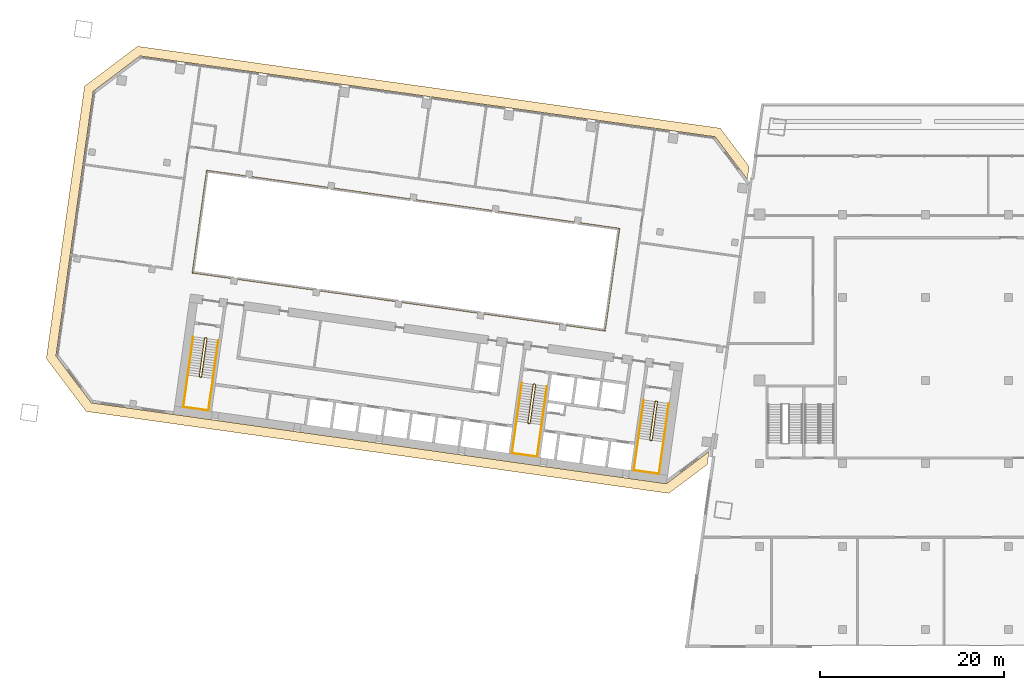
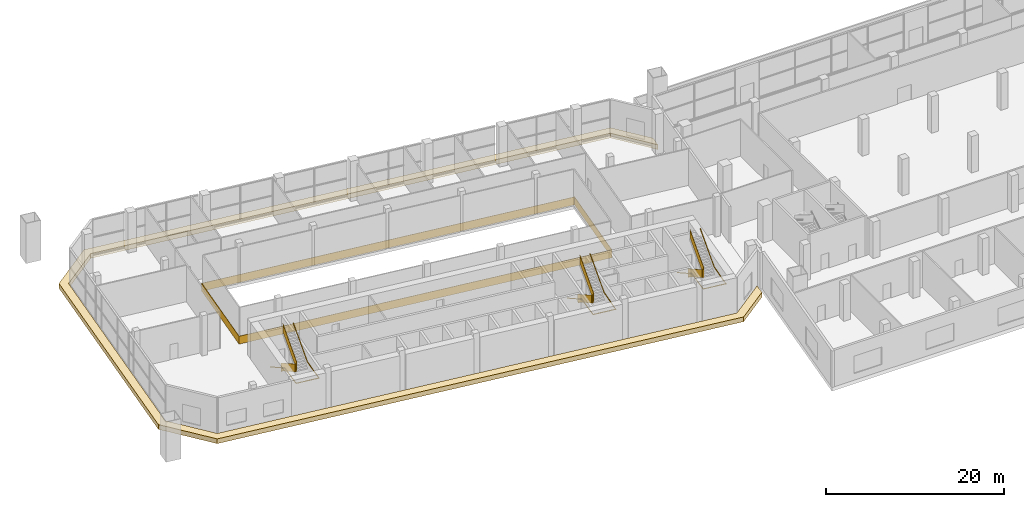
# One storey, part 20 of 23: 7 railings, 1 covering.
"""IFC4 building model written with IfcOpenShell, lengths in metres."""

import ifcopenshell
import ifcopenshell.guid

model = None  # the IFC model being written
_history = None  # IfcOwnerHistory: only IFC2X3 demands one
_inside = {}  # id of a spatial element -> (the spatial element, [elements in it])
_under = {}  # id of a project, library or spatial element -> (it, [spatial elements below it])
_declared = {}  # id of a project -> (the project, [libraries it declares])
_typed = {}  # id of a type object -> (the type object, [elements of that type])
_made_of = {}  # id of a material, layer set ... -> (it, [elements and type objects made of it])


def new_model(schema):
    """Start an empty IFC model of exactly this schema.

    Asked for "IFC4X3", IfcOpenShell would pick the latest addendum, in which some entities
    have other attributes; the version numbers below select the first issue.
    IFC2X3 requires an IfcOwnerHistory on every rooted entity: one is made here for all.
    """
    global model, _history
    if schema == "IFC4X3":
        model = ifcopenshell.file(schema_version=(4, 3, 0, 0))
    else:
        model = ifcopenshell.file(schema=schema)
    _inside.clear()
    _under.clear()
    _declared.clear()
    _typed.clear()
    _made_of.clear()
    _history = None
    if model.schema == "IFC2X3":
        org = make("IfcOrganization", Name="unknown")
        user = make(
            "IfcPersonAndOrganization",
            ThePerson=make("IfcPerson", FamilyName="unknown"),
            TheOrganization=org,
        )
        app = make(
            "IfcApplication",
            ApplicationDeveloper=org,
            Version="unknown",
            ApplicationFullName="unknown",
            ApplicationIdentifier="unknown",
        )
        _history = make(
            "IfcOwnerHistory",
            OwningUser=user,
            OwningApplication=app,
            ChangeAction="ADDED",
            CreationDate=0,
        )
    return model


def make(cls, **values):
    """One entity of the class cls with the attributes given. An attribute that is None is left unset."""
    return model.create_entity(
        cls, **{name: value for name, value in values.items() if value is not None}
    )


def rooted(cls, **values):
    """An entity with a GlobalId (a new one), such as an element, a storey or a relation."""
    return make(cls, GlobalId=ifcopenshell.guid.new(), OwnerHistory=_history, **values)


def si_unit(unit_type, name, prefix=None):
    """IfcSIUnit, for example si_unit("LENGTHUNIT", "METRE", prefix="MILLI")."""
    return make("IfcSIUnit", UnitType=unit_type, Prefix=prefix, Name=name)


def assignment(units):
    """IfcUnitAssignment: the units of a project."""
    return None if units is None else make("IfcUnitAssignment", Units=units)


def point(xyz):
    """IfcCartesianPoint."""
    return None if xyz is None else make("IfcCartesianPoint", Coordinates=xyz)


def direction(xyz):
    """IfcDirection."""
    return None if xyz is None else make("IfcDirection", DirectionRatios=xyz)


def frame(location, z_axis=None, x_axis=None):
    """IfcAxis2Placement3D, a coordinate frame: its origin and axes. An axis left out is left unset."""
    return make(
        "IfcAxis2Placement3D",
        Location=point(location),
        Axis=direction(z_axis),
        RefDirection=direction(x_axis),
    )


def frame_2d(location, x_axis=None):
    """IfcAxis2Placement2D, a coordinate frame in the plane: its origin and x axis."""
    return make(
        "IfcAxis2Placement2D", Location=point(location), RefDirection=direction(x_axis)
    )


def origin():
    """The frame at (0, 0, 0) with its axes left unset."""
    return frame((0.0, 0.0, 0.0))


def origin_2d():
    """The frame at (0, 0) in the plane with its x axis left unset."""
    return frame_2d((0.0, 0.0))


def place(relative_to, where):
    """IfcLocalPlacement: puts the frame where relative to a parent placement (None: the world)."""
    return make(
        "IfcLocalPlacement", PlacementRelTo=relative_to, RelativePlacement=where
    )


def context(
    kind, dimensions, precision=None, world=None, true_north=None, identifier=None
):
    """IfcGeometricRepresentationContext, for example the 3D "Model" context."""
    return make(
        "IfcGeometricRepresentationContext",
        ContextIdentifier=identifier,
        ContextType=kind,
        CoordinateSpaceDimension=dimensions,
        Precision=precision,
        WorldCoordinateSystem=world,
        TrueNorth=true_north,
    )


def subcontext(parent, identifier, kind, view, scale=None):
    """IfcGeometricRepresentationSubContext, for example "Body" below "Model"."""
    return make(
        "IfcGeometricRepresentationSubContext",
        ContextIdentifier=identifier,
        ContextType=kind,
        ParentContext=parent,
        TargetScale=scale,
        TargetView=view,
    )


def project(units=None, contexts=None):
    """IfcProject with its units and contexts."""
    return rooted(
        "IfcProject",
        Name="project",
        RepresentationContexts=contexts,
        UnitsInContext=assignment(units),
    )


def spatial(cls, under=None, at=None, **own):
    """A site, building, storey or space (cls), placed at a placement, below another one or the project."""
    s = rooted(cls, ObjectPlacement=at, **own)
    if under is not None:
        _under.setdefault(under.id(), (under, []))[1].append(s)
    return s


def polyline(points):
    """IfcPolyline through the points."""
    return make("IfcPolyline", Points=[point(p) for p in points])


def profile(cls, at=None, kind="AREA", **sizes):
    """A parametric profile (cls). Its sizes go by their IFC names, for example OverallWidth=200.0."""
    return make(cls, ProfileType=kind, Position=at, **sizes)


def rectangle(**sizes):
    """IfcRectangleProfileDef."""
    return profile("IfcRectangleProfileDef", **sizes)


def outline(outer, holes=None, kind="AREA"):
    """IfcArbitraryClosedProfileDef: a profile drawn as a closed curve; with holes, ...WithVoids."""
    if holes is None:
        return make("IfcArbitraryClosedProfileDef", ProfileType=kind, OuterCurve=outer)
    return make(
        "IfcArbitraryProfileDefWithVoids",
        ProfileType=kind,
        OuterCurve=outer,
        InnerCurves=holes,
    )


def extrude(swept, where, along, depth):
    """IfcExtrudedAreaSolid: the profile swept, set in the frame where, extruded along a direction by depth."""
    return make(
        "IfcExtrudedAreaSolid",
        SweptArea=swept,
        Position=where,
        ExtrudedDirection=direction(along),
        Depth=depth,
    )


def shape(context_of_items, identifier, shape_type, items):
    """IfcShapeRepresentation: the items that make up one representation, for example the "Body"."""
    return make(
        "IfcShapeRepresentation",
        ContextOfItems=context_of_items,
        RepresentationIdentifier=identifier,
        RepresentationType=shape_type,
        Items=items,
    )


def material(Name=None, Category=None):
    """IfcMaterial."""
    return make("IfcMaterial", Name=Name, Category=Category)


def layer(
    of_material, thickness, ventilated=None, Name=None, Category=None, Priority=None
):
    """IfcMaterialLayer: one layer of a wall or slab, of a material (None: an air gap)."""
    return make(
        "IfcMaterialLayer",
        Material=of_material,
        LayerThickness=thickness,
        IsVentilated=ventilated,
        Name=Name,
        Category=Category,
        Priority=Priority,
    )


def layer_set(layers, Name=None):
    """IfcMaterialLayerSet."""
    return make("IfcMaterialLayerSet", MaterialLayers=layers, LayerSetName=Name)


def made_of(thing, what):
    """Note that an element or type object is made of a material, layer set ...; save() writes the relation."""
    if what is not None:
        _made_of.setdefault(what.id(), (what, []))[1].append(thing)
    return thing


def type_object(cls, material=None, **own):
    """A type object (cls), such as IfcWallType, which elements share."""
    return made_of(rooted(cls, **own), material)


def element(
    cls,
    number,
    at=None,
    inside=None,
    cuts=None,
    type_object=None,
    material=None,
    context=None,
    identifier="Body",
    shape_type=None,
    held_by="IfcProductDefinitionShape",
    body=None,
    shapes=None,
    **own,
):
    """One element of the class cls, such as IfcWall. Its Tag is "e" and its number.

    at: its placement. inside: the storey or other place that contains it. cuts: it is an
    opening in that element (IfcRelVoidsElement). A single representation is given by context,
    identifier, shape_type and body (its items); several are given by shapes. held_by: the class
    of the entity that holds the representations. save() writes the other relations.
    """
    e = rooted(cls, Tag="e%d" % number, ObjectPlacement=at, **own)
    if body is not None:
        shapes = [shape(context, identifier, shape_type, body)]
    if shapes is not None:
        e.Representation = make(held_by, Representations=shapes)
    if inside is not None:
        _inside.setdefault(inside.id(), (inside, []))[1].append(e)
    if cuts is not None:
        rooted(
            "IfcRelVoidsElement", RelatingBuildingElement=cuts, RelatedOpeningElement=e
        )
    if type_object is not None:
        _typed.setdefault(type_object.id(), (type_object, []))[1].append(e)
    return made_of(e, material)


def aggregate(whole, parts):
    """IfcRelAggregates: a whole, such as a stair, and the parts it consists of."""
    return rooted("IfcRelAggregates", RelatingObject=whole, RelatedObjects=parts)


def save(model, path):
    """Write the relations noted so far, then the file.

    IfcRelAggregates (storeys below a building ...), IfcRelContainedInSpatialStructure (elements
    in a storey), IfcRelDefinesByType, IfcRelAssociatesMaterial and IfcRelDeclares: one each for
    every whole, place, type object, material and project.
    """
    for whole, parts in _under.values():
        aggregate(whole, parts)
    for where, things in _inside.values():
        rooted(
            "IfcRelContainedInSpatialStructure",
            RelatedElements=things,
            RelatingStructure=where,
        )
    for kind, things in _typed.values():
        rooted("IfcRelDefinesByType", RelatedObjects=things, RelatingType=kind)
    for what, things in _made_of.values():
        rooted("IfcRelAssociatesMaterial", RelatedObjects=things, RelatingMaterial=what)
    for by, libraries in _declared.values():
        rooted("IfcRelDeclares", RelatingContext=by, RelatedDefinitions=libraries)
    model.write(path)


model = new_model("IFC4")

# Units and contexts
model_context = context("Model", 3, precision=1e-05, world=origin(), true_north=direction((0.0, 1.0)))
body_context = subcontext(model_context, "Body", "Model", "MODEL_VIEW")
ifc_project = project(units=[si_unit("LENGTHUNIT", "METRE"), si_unit("AREAUNIT", "SQUARE_METRE"), si_unit("VOLUMEUNIT", "CUBIC_METRE"), si_unit("PLANEANGLEUNIT", "RADIAN"), si_unit("MASSUNIT", "GRAM", prefix="KILO")], contexts=[model_context])

# Site, building, storey
site_placement = place(None, origin())
site = spatial("IfcSite", under=ifc_project, at=site_placement, CompositionType="ELEMENT")
building_placement = place(site_placement, origin())
building = spatial("IfcBuilding", under=site, at=building_placement, Name="Mirante Cascada Hotel Towers", CompositionType="ELEMENT")
storey_placement = place(building_placement, frame((0.0, 0.0, 23.5)))
storey = spatial("IfcBuildingStorey", under=building, at=storey_placement, Name="L03", CompositionType="ELEMENT", Elevation=23.5)

# Railing
ifc_material_1 = material(Name="Painted steel", Category="steel")
railing_type_1 = type_object("IfcRailingType", Name="Atrium edge guard 1100 steel balustrade", PredefinedType="GUARDRAIL", material=ifc_material_1)
railing_1_placement = place(storey_placement, frame((-43.7567, -3.601, 0.0)))
element("IfcRailing", 1, at=railing_1_placement, inside=storey, type_object=railing_type_1, Name="Atrium guard T1 L03", PredefinedType="GUARDRAIL", context=body_context, shape_type="SweptSolid", body=[
    extrude(rectangle(XDim=0.048, YDim=0.048, at=origin_2d()), frame((0.0, 0.0, 1.076), z_axis=(-0.9902681, 0.1391726, 0.0), x_axis=(-0.1391726, -0.9902681, 0.0)), (0.0, 0.0, 1.0), 45.2),
    extrude(rectangle(XDim=0.02, YDim=1.052, at=origin_2d()), frame((0.0, 0.0, 0.526), z_axis=(-0.9902681, 0.1391726, 0.0), x_axis=(-0.1391726, -0.9902681, 0.0)), (0.0, 0.0, 1.0), 45.2),
    extrude(rectangle(XDim=0.048, YDim=0.048, at=origin_2d()), frame((-44.7601, 6.2906, 1.076), z_axis=(0.1391697, 0.9902685, 0.0), x_axis=(-0.9902685, 0.1391697, 0.0)), (0.0, 0.0, 1.0), 11.2),
    extrude(rectangle(XDim=0.02, YDim=1.052, at=origin_2d()), frame((-44.7601, 6.2906, 0.526), z_axis=(0.1391697, 0.9902685, 0.0), x_axis=(-0.9902685, 0.1391697, 0.0)), (0.0, 0.0, 1.0), 11.2),
    extrude(rectangle(XDim=0.048, YDim=0.048, at=origin_2d()), frame((-43.2014, 17.3816, 1.076), z_axis=(0.9902681, -0.1391726, 0.0), x_axis=(0.1391726, 0.9902681, 0.0)), (0.0, 0.0, 1.0), 45.2),
    extrude(rectangle(XDim=0.02, YDim=1.052, at=origin_2d()), frame((-43.2014, 17.3816, 0.526), z_axis=(0.9902681, -0.1391726, 0.0), x_axis=(0.1391726, 0.9902681, 0.0)), (0.0, 0.0, 1.0), 45.2),
    extrude(rectangle(XDim=0.048, YDim=0.048, at=origin_2d()), frame((1.5587, 11.091, 1.076), z_axis=(-0.1391697, -0.9902685, 0.0), x_axis=(0.9902685, -0.1391697, 0.0)), (0.0, 0.0, 1.0), 11.2),
    extrude(rectangle(XDim=0.02, YDim=1.052, at=origin_2d()), frame((1.5587, 11.091, 0.526), z_axis=(-0.1391697, -0.9902685, 0.0), x_axis=(0.9902685, -0.1391697, 0.0)), (0.0, 0.0, 1.0), 11.2),
])

# Covering
ifc_material_2 = material(Name="Precast concrete C40/50 white", Category="concrete")
ifc_layer = layer(ifc_material_2, 0.6)
ifc_layer_set = layer_set([ifc_layer], Name="Precast concrete SUNSHADE band 1000x600")
covering_type = type_object("IfcCoveringType", Name="Precast concrete SUNSHADE band 1000x600", PredefinedType="CLADDING", material=ifc_layer_set)
covering_placement = place(storey_placement, frame((0.0, 0.0, -0.5)))
element("IfcCovering", 2, at=covering_placement, inside=storey, type_object=covering_type, Name="Precast concrete SUNSHADE band T1 L03", PredefinedType="CLADDING", context=body_context, shape_type="SweptSolid", body=[
    extrude(outline(polyline([(-100.2139, 22.9287), (-94.4698, 27.2572), (-31.2626, 18.374), (-28.1256, 14.2111), (-28.3224, 12.8107), (-31.8119, 17.4414), (-94.1988, 26.2093), (-99.2813, 22.3794), (-103.3173, -6.3384), (-99.4874, -11.4209), (-37.1005, -20.1888), (-32.4698, -16.6993), (-32.6666, -18.0998), (-36.8295, -21.2367), (-100.0367, -12.3535), (-104.3652, -6.6094), (-100.2139, 22.9287)])), origin(), (0.0, 0.0, 1.0), 0.65),
])

# Railings
ifc_material_3 = material(Name="Painted steel", Category="steel")
railing_type_2 = type_object("IfcRailingType", Name="Stair guard 1100 steel balustrade", PredefinedType="GUARDRAIL", material=ifc_material_3)
railing_2_placement = place(storey_placement, frame((-38.1178, -11.2603, 0.0)))
element("IfcRailing", 3, at=railing_2_placement, inside=storey, type_object=railing_type_2, Name="L03 ST1-A stair guard 1", PredefinedType="GUARDRAIL", context=body_context, shape_type="SweptSolid", body=[
    extrude(rectangle(XDim=0.048, YDim=0.048, at=origin_2d()), frame((0.0, 0.0, 1.076), z_axis=(-0.9903326, 0.1387133, 0.0), x_axis=(-0.1387133, -0.9903326, 0.0)), (0.0, 0.0, 1.0), 0.1499),
    extrude(rectangle(XDim=0.02, YDim=1.052, at=origin_2d()), frame((0.0, 0.0, 0.526), z_axis=(-0.9903326, 0.1387133, 0.0), x_axis=(-0.1387133, -0.9903326, 0.0)), (0.0, 0.0, 1.0), 0.1499),
    extrude(rectangle(XDim=0.048, YDim=0.048, at=origin_2d()), frame((-0.1485, 0.0208, 1.076), z_axis=(-0.7991505, -0.6011309, 0.0), x_axis=(0.6011309, -0.7991505, 0.0)), (0.0, 0.9248339, 0.3803713), 0.1859),
    extrude(rectangle(XDim=0.02, YDim=1.052, at=origin_2d()), frame((-0.1485, 0.0208, 0.526), z_axis=(-0.7991505, -0.6011309, 0.0), x_axis=(0.6011309, -0.7991505, 0.0)), (0.0, 0.9248339, 0.3803713), 0.1859),
    extrude(rectangle(XDim=0.048, YDim=0.048, at=origin_2d()), frame((-0.205, -0.0217, 1.2479), z_axis=(-0.1391676, -0.9902688, 0.0), x_axis=(0.9902688, -0.1391676, 0.0)), (0.0, 0.5231408, 0.8522463), 4.9281),
    extrude(rectangle(XDim=0.02, YDim=1.052, at=origin_2d()), frame((-0.205, -0.0217, 0.6979), z_axis=(-0.1391676, -0.9902688, 0.0), x_axis=(0.9902688, -0.1391676, 0.0)), (0.0, 0.5231408, 0.8522463), 4.9281),
    extrude(rectangle(XDim=0.048, YDim=0.048, at=origin_2d()), frame((-0.7895, -4.1808, 3.826), z_axis=(0.9268624, -0.3754011, 0.0), x_axis=(0.3754011, 0.9268624, 0.0)), (0.0, 0.0, 1.0), 0.2062),
    extrude(rectangle(XDim=0.02, YDim=1.052, at=origin_2d()), frame((-0.7895, -4.1808, 3.276), z_axis=(0.9268624, -0.3754011, 0.0), x_axis=(0.3754011, 0.9268624, 0.0)), (0.0, 0.0, 1.0), 0.2062),
    extrude(rectangle(XDim=0.048, YDim=0.048, at=origin_2d()), frame((-0.5984, -4.2582, 3.826), z_axis=(-0.9902537, 0.1392753, 0.0), x_axis=(-0.1392753, -0.9902537, 0.0)), (0.0, 0.0, 1.0), 0.1501),
    extrude(rectangle(XDim=0.02, YDim=1.052, at=origin_2d()), frame((-0.5984, -4.2582, 3.276), z_axis=(-0.9902537, 0.1392753, 0.0), x_axis=(-0.1392753, -0.9902537, 0.0)), (0.0, 0.0, 1.0), 0.1501),
    extrude(rectangle(XDim=0.048, YDim=0.048, at=origin_2d()), frame((-0.747, -4.2373, 3.826), z_axis=(0.9944441, 0.1052656, 0.0), x_axis=(-0.1052656, 0.9944441, 0.0)), (0.0, 0.6404311, 0.7680156), 0.2684),
    extrude(rectangle(XDim=0.02, YDim=1.052, at=origin_2d()), frame((-0.747, -4.2373, 3.276), z_axis=(0.9944441, 0.1052656, 0.0), x_axis=(-0.1052656, 0.9944441, 0.0)), (0.0, 0.6404311, 0.7680156), 0.2684),
    extrude(rectangle(XDim=0.048, YDim=0.048, at=origin_2d()), frame((-0.542, -4.2156, 3.9979), z_axis=(0.139191, 0.9902656, 0.0), x_axis=(-0.9902656, 0.139191, 0.0)), (0.0, 0.5231396, 0.852247), 4.9281),
    extrude(rectangle(XDim=0.02, YDim=1.052, at=origin_2d()), frame((-0.542, -4.2156, 3.4479), z_axis=(0.139191, 0.9902656, 0.0), x_axis=(-0.9902656, 0.139191, 0.0)), (0.0, 0.5231396, 0.852247), 4.9281),
])
railing_3_placement = place(storey_placement, frame((-51.3379, -9.4024, 0.0)))
element("IfcRailing", 4, at=railing_3_placement, inside=storey, type_object=railing_type_2, Name="L03 ST1-B stair guard 1", PredefinedType="GUARDRAIL", context=body_context, shape_type="SweptSolid", body=[
    extrude(rectangle(XDim=0.048, YDim=0.048, at=origin_2d()), frame((0.0, 0.0, 1.076), z_axis=(-0.9902408, 0.1393672, 0.0), x_axis=(-0.1393672, -0.9902408, 0.0)), (0.0, 0.0, 1.0), 0.15),
    extrude(rectangle(XDim=0.02, YDim=1.052, at=origin_2d()), frame((0.0, 0.0, 0.526), z_axis=(-0.9902408, 0.1393672, 0.0), x_axis=(-0.1393672, -0.9902408, 0.0)), (0.0, 0.0, 1.0), 0.15),
    extrude(rectangle(XDim=0.048, YDim=0.048, at=origin_2d()), frame((-0.1485, 0.0209, 1.076), z_axis=(-0.7984711, -0.6020331, 0.0), x_axis=(0.6020331, -0.7984711, 0.0)), (0.0, 0.92472, 0.380648), 0.1859),
    extrude(rectangle(XDim=0.02, YDim=1.052, at=origin_2d()), frame((-0.1485, 0.0209, 0.526), z_axis=(-0.7984711, -0.6020331, 0.0), x_axis=(0.6020331, -0.7984711, 0.0)), (0.0, 0.92472, 0.380648), 0.1859),
    extrude(rectangle(XDim=0.048, YDim=0.048, at=origin_2d()), frame((-0.205, -0.0217, 1.2479), z_axis=(-0.1391676, -0.9902688, 0.0), x_axis=(0.9902688, -0.1391676, 0.0)), (0.0, 0.5231408, 0.8522463), 4.9281),
    extrude(rectangle(XDim=0.02, YDim=1.052, at=origin_2d()), frame((-0.205, -0.0217, 0.6979), z_axis=(-0.1391676, -0.9902688, 0.0), x_axis=(0.9902688, -0.1391676, 0.0)), (0.0, 0.5231408, 0.8522463), 4.9281),
    extrude(rectangle(XDim=0.048, YDim=0.048, at=origin_2d()), frame((-0.7895, -4.1808, 3.826), z_axis=(0.9270311, -0.3749843, 0.0), x_axis=(0.3749843, 0.9270311, 0.0)), (0.0, 0.0, 1.0), 0.2061),
    extrude(rectangle(XDim=0.02, YDim=1.052, at=origin_2d()), frame((-0.7895, -4.1808, 3.276), z_axis=(0.9270311, -0.3749843, 0.0), x_axis=(0.3749843, 0.9270311, 0.0)), (0.0, 0.0, 1.0), 0.2061),
    extrude(rectangle(XDim=0.048, YDim=0.048, at=origin_2d()), frame((-0.5984, -4.2581, 3.826), z_axis=(-0.9903454, 0.1386217, 0.0), x_axis=(-0.1386217, -0.9903454, 0.0)), (0.0, 0.0, 1.0), 0.15),
    extrude(rectangle(XDim=0.02, YDim=1.052, at=origin_2d()), frame((-0.5984, -4.2581, 3.276), z_axis=(-0.9903454, 0.1386217, 0.0), x_axis=(-0.1386217, -0.9903454, 0.0)), (0.0, 0.0, 1.0), 0.15),
    extrude(rectangle(XDim=0.048, YDim=0.048, at=origin_2d()), frame((-0.747, -4.2373, 3.826), z_axis=(0.9944495, 0.1052148, 0.0), x_axis=(-0.1052148, 0.9944495, 0.0)), (0.0, 0.640249, 0.7681675), 0.2685),
    extrude(rectangle(XDim=0.02, YDim=1.052, at=origin_2d()), frame((-0.747, -4.2373, 3.276), z_axis=(0.9944495, 0.1052148, 0.0), x_axis=(-0.1052148, 0.9944495, 0.0)), (0.0, 0.640249, 0.7681675), 0.2685),
    extrude(rectangle(XDim=0.048, YDim=0.048, at=origin_2d()), frame((-0.5419, -4.2156, 3.9979), z_axis=(0.1391676, 0.9902688, 0.0), x_axis=(-0.9902688, 0.1391676, 0.0)), (0.0, 0.5231408, 0.8522463), 4.9281),
    extrude(rectangle(XDim=0.02, YDim=1.052, at=origin_2d()), frame((-0.5419, -4.2156, 3.4479), z_axis=(0.1391676, 0.9902688, 0.0), x_axis=(-0.9902688, 0.1391676, 0.0)), (0.0, 0.5231408, 0.8522463), 4.9281),
])
railing_4_placement = place(storey_placement, frame((-86.9875, -4.3922, 0.0)))
element("IfcRailing", 5, at=railing_4_placement, inside=storey, type_object=railing_type_2, Name="L03 ST1-C stair guard 1", PredefinedType="GUARDRAIL", context=body_context, shape_type="SweptSolid", body=[
    extrude(rectangle(XDim=0.048, YDim=0.048, at=origin_2d()), frame((0.0, 0.0, 1.076), z_axis=(-0.9902537, 0.1392753, 0.0), x_axis=(-0.1392753, -0.9902537, 0.0)), (0.0, 0.0, 1.0), 0.1501),
    extrude(rectangle(XDim=0.02, YDim=1.052, at=origin_2d()), frame((0.0, 0.0, 0.526), z_axis=(-0.9902537, 0.1392753, 0.0), x_axis=(-0.1392753, -0.9902537, 0.0)), (0.0, 0.0, 1.0), 0.1501),
    extrude(rectangle(XDim=0.048, YDim=0.048, at=origin_2d()), frame((-0.1486, 0.0209, 1.076), z_axis=(-0.7986386, -0.601811, 0.0), x_axis=(0.601811, -0.7986386, 0.0)), (0.0, 0.924985, 0.3800036), 0.1858),
    extrude(rectangle(XDim=0.02, YDim=1.052, at=origin_2d()), frame((-0.1486, 0.0209, 0.526), z_axis=(-0.7986386, -0.601811, 0.0), x_axis=(0.601811, -0.7986386, 0.0)), (0.0, 0.924985, 0.3800036), 0.1858),
    extrude(rectangle(XDim=0.048, YDim=0.048, at=origin_2d()), frame((-0.205, -0.0216, 1.2479), z_axis=(-0.1391877, -0.990266, 0.0), x_axis=(0.990266, -0.1391877, 0.0)), (0.0, 0.5231306, 0.8522525), 4.9282),
    extrude(rectangle(XDim=0.02, YDim=1.052, at=origin_2d()), frame((-0.205, -0.0216, 0.6979), z_axis=(-0.1391877, -0.990266, 0.0), x_axis=(0.990266, -0.1391877, 0.0)), (0.0, 0.5231306, 0.8522525), 4.9282),
    extrude(rectangle(XDim=0.048, YDim=0.048, at=origin_2d()), frame((-0.7896, -4.1808, 3.826), z_axis=(0.9270311, -0.3749843, 0.0), x_axis=(0.3749843, 0.9270311, 0.0)), (0.0, 0.0, 1.0), 0.2061),
    extrude(rectangle(XDim=0.02, YDim=1.052, at=origin_2d()), frame((-0.7896, -4.1808, 3.276), z_axis=(0.9270311, -0.3749843, 0.0), x_axis=(0.3749843, 0.9270311, 0.0)), (0.0, 0.0, 1.0), 0.2061),
    extrude(rectangle(XDim=0.048, YDim=0.048, at=origin_2d()), frame((-0.5985, -4.2581, 3.826), z_axis=(-0.9902408, 0.1393672, 0.0), x_axis=(-0.1393672, -0.9902408, 0.0)), (0.0, 0.0, 1.0), 0.15),
    extrude(rectangle(XDim=0.02, YDim=1.052, at=origin_2d()), frame((-0.5985, -4.2581, 3.276), z_axis=(-0.9902408, 0.1393672, 0.0), x_axis=(-0.1393672, -0.9902408, 0.0)), (0.0, 0.0, 1.0), 0.15),
    extrude(rectangle(XDim=0.048, YDim=0.048, at=origin_2d()), frame((-0.747, -4.2372, 3.826), z_axis=(0.9944441, 0.1052656, 0.0), x_axis=(-0.1052656, 0.9944441, 0.0)), (0.0, 0.6404311, 0.7680156), 0.2684),
    extrude(rectangle(XDim=0.02, YDim=1.052, at=origin_2d()), frame((-0.747, -4.2372, 3.276), z_axis=(0.9944441, 0.1052656, 0.0), x_axis=(-0.1052656, 0.9944441, 0.0)), (0.0, 0.6404311, 0.7680156), 0.2684),
    extrude(rectangle(XDim=0.048, YDim=0.048, at=origin_2d()), frame((-0.542, -4.2155, 3.9979), z_axis=(0.1391676, 0.9902688, 0.0), x_axis=(-0.9902688, 0.1391676, 0.0)), (0.0, 0.5231408, 0.8522463), 4.9281),
    extrude(rectangle(XDim=0.02, YDim=1.052, at=origin_2d()), frame((-0.542, -4.2155, 3.4479), z_axis=(0.1391676, 0.9902688, 0.0), x_axis=(-0.9902688, 0.1391676, 0.0)), (0.0, 0.5231408, 0.8522463), 4.9281),
])
ifc_material_4 = material(Name="Painted steel", Category="steel")
railing_type_3 = type_object("IfcRailingType", Name="Stair handrail 900 steel tube", PredefinedType="HANDRAIL", material=ifc_material_4)
railing_5_placement = place(storey_placement, frame((-39.5606, -11.1081, 0.1719)))
element("IfcRailing", 6, at=railing_5_placement, inside=storey, type_object=railing_type_3, Name="L03 ST1-A stair handrail 1", PredefinedType="HANDRAIL", context=body_context, shape_type="SweptSolid", body=[
    extrude(rectangle(XDim=0.048, YDim=0.048, at=origin_2d()), frame((0.0, 0.0, 0.876), z_axis=(-0.139191, -0.9902656, 0.0), x_axis=(0.9902656, -0.139191, 0.0)), (0.0, 0.5231396, 0.852247), 4.9281),
    extrude(rectangle(XDim=0.048, YDim=0.048, at=origin_2d()), frame((-0.5845, -4.1581, 3.4541), z_axis=(-0.139173, -0.9902681, 0.0), x_axis=(0.9902681, -0.139173, 0.0)), (0.0, 0.0490557, 0.998796), 3.5052),
    extrude(rectangle(XDim=0.048, YDim=0.048, at=origin_2d()), frame((-1.0717, -7.625, 3.626), z_axis=(0.9902698, -0.1391607, 0.0), x_axis=(0.1391607, 0.9902698, 0.0)), (0.0, 0.0, 1.0), 2.7501),
    extrude(rectangle(XDim=0.048, YDim=0.048, at=origin_2d()), frame((1.6516, -8.0077, 3.626), z_axis=(0.139173, 0.9902681, 0.0), x_axis=(-0.9902681, 0.139173, 0.0)), (0.0, 0.0, 1.0), 3.5),
    extrude(rectangle(XDim=0.048, YDim=0.048, at=origin_2d()), frame((2.1386, -4.5426, 3.6255), z_axis=(0.1391676, 0.9902688, 0.0), x_axis=(-0.9902688, 0.1391676, 0.0)), (0.0, 0.5231408, 0.8522463), 4.9291),
])
railing_6_placement = place(storey_placement, frame((-52.7807, -9.2501, 0.1719)))
element("IfcRailing", 7, at=railing_6_placement, inside=storey, type_object=railing_type_3, Name="L03 ST1-B stair handrail 1", PredefinedType="HANDRAIL", context=body_context, shape_type="SweptSolid", body=[
    extrude(rectangle(XDim=0.048, YDim=0.048, at=origin_2d()), frame((0.0, 0.0, 0.876), z_axis=(-0.1391676, -0.9902688, 0.0), x_axis=(0.9902688, -0.1391676, 0.0)), (0.0, 0.5231408, 0.8522463), 4.9281),
    extrude(rectangle(XDim=0.048, YDim=0.048, at=origin_2d()), frame((-0.5844, -4.1581, 3.4541), z_axis=(-0.139197, -0.9902647, 0.0), x_axis=(0.9902647, -0.139197, 0.0)), (0.0, 0.0490541, 0.9987961), 3.5053),
    extrude(rectangle(XDim=0.048, YDim=0.048, at=origin_2d()), frame((-1.0717, -7.6251, 3.626), z_axis=(0.9902698, -0.1391607, 0.0), x_axis=(0.1391607, 0.9902698, 0.0)), (0.0, 0.0, 1.0), 2.7501),
    extrude(rectangle(XDim=0.048, YDim=0.048, at=origin_2d()), frame((1.6516, -8.0078, 3.626), z_axis=(0.139169, 0.9902686, 0.0), x_axis=(-0.9902686, 0.139169, 0.0)), (0.0, 0.0, 1.0), 3.5001),
    extrude(rectangle(XDim=0.048, YDim=0.048, at=origin_2d()), frame((2.1386, -4.5426, 3.6255), z_axis=(0.1391676, 0.9902688, 0.0), x_axis=(-0.9902688, 0.1391676, 0.0)), (0.0, 0.5231408, 0.8522463), 4.9291),
])
railing_7_placement = place(storey_placement, frame((-88.4304, -4.2399, 0.1719)))
element("IfcRailing", 8, at=railing_7_placement, inside=storey, type_object=railing_type_3, Name="L03 ST1-C stair handrail 1", PredefinedType="HANDRAIL", context=body_context, shape_type="SweptSolid", body=[
    extrude(rectangle(XDim=0.048, YDim=0.048, at=origin_2d()), frame((0.0, 0.0, 0.876), z_axis=(-0.1391676, -0.9902688, 0.0), x_axis=(0.9902688, -0.1391676, 0.0)), (0.0, 0.5231408, 0.8522463), 4.9281),
    extrude(rectangle(XDim=0.048, YDim=0.048, at=origin_2d()), frame((-0.5844, -4.1581, 3.4541), z_axis=(-0.139173, -0.9902681, 0.0), x_axis=(0.9902681, -0.139173, 0.0)), (0.0, 0.0490557, 0.998796), 3.5052),
    extrude(rectangle(XDim=0.048, YDim=0.048, at=origin_2d()), frame((-1.0716, -7.625, 3.626), z_axis=(0.9902641, -0.1392013, 0.0), x_axis=(0.1392013, 0.9902641, 0.0)), (0.0, 0.0, 1.0), 2.75),
    extrude(rectangle(XDim=0.048, YDim=0.048, at=origin_2d()), frame((1.6516, -8.0078, 3.626), z_axis=(0.139169, 0.9902686, 0.0), x_axis=(-0.9902686, 0.139169, 0.0)), (0.0, 0.0, 1.0), 3.5001),
    extrude(rectangle(XDim=0.048, YDim=0.048, at=origin_2d()), frame((2.1386, -4.5426, 3.6255), z_axis=(0.139191, 0.9902656, 0.0), x_axis=(-0.9902656, 0.139191, 0.0)), (0.0, 0.5231396, 0.852247), 4.9291),
])

save(model, "model.ifc")
